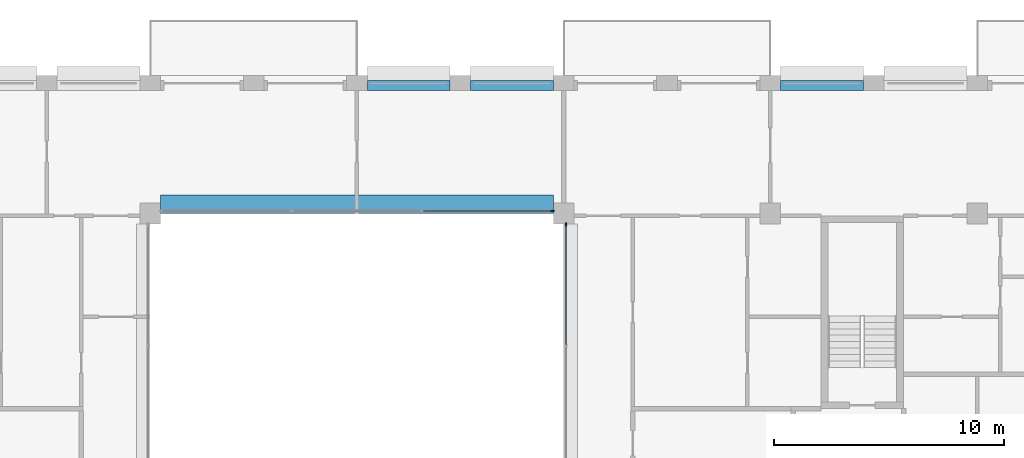
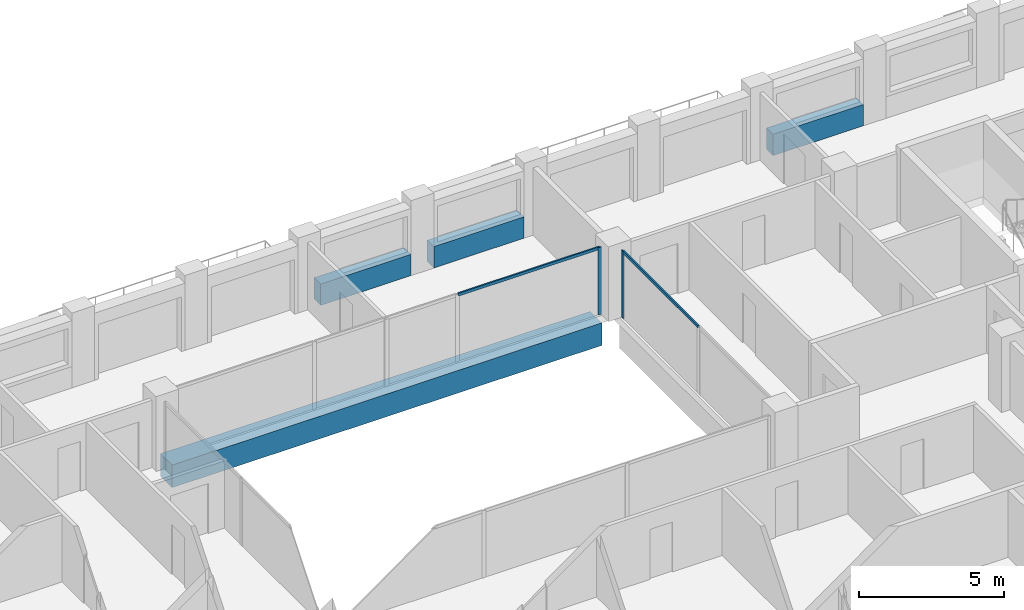
# One storey, part 6 of 15: 4 beams, 4 members, 2 elements without a shape of their own.
"""IFC4 building model written with IfcOpenShell, lengths in metres."""

from ifc_helpers import new_model, si_unit, direction, frame, origin, origin_2d, place, context, subcontext, project, spatial, rectangle, extrude, material, layer, layer_set, material_profile, profile_set, type_object, element, aggregate, save


model = new_model("IFC4")

# Units and contexts
model_context = context("Model", 3, precision=1e-05, world=origin(), true_north=direction((0.0, 1.0)))
body_context = subcontext(model_context, "Body", "Model", "MODEL_VIEW")
ifc_project = project(units=[si_unit("LENGTHUNIT", "METRE"), si_unit("AREAUNIT", "SQUARE_METRE"), si_unit("VOLUMEUNIT", "CUBIC_METRE"), si_unit("PLANEANGLEUNIT", "RADIAN"), si_unit("MASSUNIT", "GRAM", prefix="KILO")], contexts=[model_context])

# Site, building, storey
site_placement = place(None, origin())
site = spatial("IfcSite", under=ifc_project, at=site_placement, CompositionType="ELEMENT")
building_placement = place(site_placement, origin())
building = spatial("IfcBuilding", under=site, at=building_placement, Name="Brigalow Station Residences", CompositionType="ELEMENT")
storey_placement = place(building_placement, frame((0.0, 0.0, 213.75)))
storey = spatial("IfcBuildingStorey", under=building, at=storey_placement, Name="L61", CompositionType="ELEMENT", Elevation=213.75)

# Beam
ifc_material_1 = material(Name="Concrete C65", Category="concrete")
ifc_material_profile_1 = material_profile(ifc_material_1, rectangle(XDim=0.800048828125, YDim=0.949951171875, at=origin_2d()), Name="RC800x950")
ifc_profile_set_1 = profile_set([ifc_material_profile_1], Name="Concrete C65")
beam_type_1 = type_object("IfcBeamType", Name="ATRIUM EDGE GIRDER OVER 13.5 M SPAN 800x950 C65", PredefinedType="BEAM", material=ifc_profile_set_1)
beam_placement = place(storey_placement, frame((27.449951171875, 35.89990234375, -0.794921875), z_axis=(1.0, 0.0, 0.0), x_axis=(0.0, 1.0, 0.0)))
element("IfcBeam", 1, at=beam_placement, inside=storey, type_object=beam_type_1, Name="ATRIUM EDGE GIRDER D L61", PredefinedType="BEAM", context=body_context, shape_type="SweptSolid", body=[
    extrude(rectangle(XDim=0.800048828125, YDim=0.949951171875, at=origin_2d()), origin(), (0.0, 0.0, 1.0), 17.10009765625),
])

# Curtain wall, member
ifc_material_2 = material(Name="Aluminium", Category="aluminium")
ifc_layer = layer(ifc_material_2, 0.14990234375)
ifc_layer_set = layer_set([ifc_layer], Name="ATRIUM FIRE-RATED GLAZING CURTAIN WALL")
curtain_wall_type = type_object("IfcCurtainWallType", Name="ATRIUM FIRE-RATED GLAZING CURTAIN WALL", PredefinedType="NOTDEFINED", material=ifc_layer_set)
curtain_wall_1_placement = place(storey_placement, origin())
curtain_wall_1 = element("IfcCurtainWall", 2, at=curtain_wall_1_placement, inside=storey, type_object=curtain_wall_type, Name="L61/cw/atrium-E", PredefinedType="NOTDEFINED")
ifc_material_3 = material(Name="Aluminium", Category="aluminium")
ifc_material_profile_2 = material_profile(ifc_material_3, rectangle(XDim=0.06005859375, YDim=0.14990234375, at=origin_2d()), Name="ATRIUM FIRE-RATED GLAZING MULLION 60x150")
ifc_profile_set_2 = profile_set([ifc_material_profile_2], Name="Aluminium")
member_type_1 = type_object("IfcMemberType", Name="ATRIUM FIRE-RATED GLAZING MULLION 60x150", PredefinedType="MULLION", material=ifc_profile_set_2)
member_1_placement = place(storey_placement, frame((45.10009765625, 35.02001953125, 0.0), z_axis=(0.0, 0.0, 1.0), x_axis=(-1.0, 0.0, 0.0)))
member_1 = element("IfcMember", 3, at=member_1_placement, type_object=member_type_1, Name="L61/cw/atrium-E/M02", PredefinedType="MULLION", context=body_context, shape_type="SweptSolid", body=[
    extrude(rectangle(XDim=0.06005859375, YDim=0.14990234375, at=origin_2d()), origin(), (0.0, 0.0, 1.0), 2.830078125),
])

curtain_wall_2_placement = place(storey_placement, origin())
curtain_wall_2 = element("IfcCurtainWall", 4, at=curtain_wall_2_placement, inside=storey, type_object=curtain_wall_type, Name="L61/cw/atrium-N", PredefinedType="NOTDEFINED")
member_2_placement = place(storey_placement, frame((44.52001953125, 35.60009765625, 0.0), z_axis=(0.0, 0.0, 1.0), x_axis=(0.0, -1.0, 0.0)))
member_2 = element("IfcMember", 5, at=member_2_placement, type_object=member_type_1, Name="L61/cw/atrium-N/M00", PredefinedType="MULLION", context=body_context, shape_type="SweptSolid", body=[
    extrude(rectangle(XDim=0.06005859375, YDim=0.14990234375, at=origin_2d()), origin(), (0.0, 0.0, 1.0), 2.830078125),
])

# Member
ifc_material_4 = material(Name="Aluminium", Category="aluminium")
ifc_material_profile_3 = material_profile(ifc_material_4, rectangle(XDim=0.06005859375, YDim=0.1201171875, at=origin_2d()), Name="ATRIUM FIRE-RATED GLAZING TRANSOM 60x120")
ifc_profile_set_3 = profile_set([ifc_material_profile_3], Name="Aluminium")
member_type_2 = type_object("IfcMemberType", Name="ATRIUM FIRE-RATED GLAZING TRANSOM 60x120", PredefinedType="USERDEFINED", material=ifc_profile_set_3)
member_3_placement = place(storey_placement, frame((45.10009765625, 29.780029296875, 2.800048828125), z_axis=(0.0, 1.0, 0.0), x_axis=(-1.0, 0.0, 0.0)))
member_3 = element("IfcMember", 6, at=member_3_placement, type_object=member_type_2, Name="L61/cw/atrium-E/T01-00", ObjectType="TRANSOM", PredefinedType="USERDEFINED", context=body_context, shape_type="SweptSolid", body=[
    extrude(rectangle(XDim=0.06005859375, YDim=0.1201171875, at=origin_2d()), origin(), (0.0, 0.0, 1.0), 5.2099609375),
])

aggregate(curtain_wall_1, [member_1, member_3])

member_4_placement = place(storey_placement, frame((44.489990234375, 35.60009765625, 2.800048828125), z_axis=(-1.0, 0.0, 0.0), x_axis=(0.0, -1.0, 0.0)))
member_4 = element("IfcMember", 7, at=member_4_placement, type_object=member_type_2, Name="L61/cw/atrium-N/T00-00", ObjectType="TRANSOM", PredefinedType="USERDEFINED", context=body_context, shape_type="SweptSolid", body=[
    extrude(rectangle(XDim=0.06005859375, YDim=0.1201171875, at=origin_2d()), origin(), (0.0, 0.0, 1.0), 5.610107421875),
])

aggregate(curtain_wall_2, [member_2, member_4])

# Beams
ifc_material_5 = material(Name="Concrete C50", Category="concrete")
ifc_material_profile_4 = material_profile(ifc_material_5, rectangle(XDim=0.449951171875, YDim=0.89990234375, at=origin_2d()), Name="RC450x900")
ifc_profile_set_4 = profile_set([ifc_material_profile_4], Name="Concrete C50")
beam_type_2 = type_object("IfcBeamType", Name="SPANDREL BEAM 450x900 C50", PredefinedType="SPANDREL", material=ifc_profile_set_4)
for number, where, z_axis, x_axis, name in (
    (8, (58.050048828125, 41.074951171875, 0.449951171875), (-1.0, 0.0, 0.0), (0.0, -1.0, 0.0), "L61/spandrel/W-L61-22"),
    (9, (44.550048828125, 41.074951171875, 0.449951171875), (-1.0, 0.0, 0.0), (0.0, -1.0, 0.0), "L61/spandrel/W-L61-25"),
    (10, (40.050048828125, 41.074951171875, 0.449951171875), (-1.0, 0.0, 0.0), (0.0, -1.0, 0.0), "L61/spandrel/W-L61-26"),
):
    element("IfcBeam", number, at=place(storey_placement, frame(where, z_axis=z_axis, x_axis=x_axis)), inside=storey, type_object=beam_type_2, Name=name, PredefinedType="SPANDREL", context=body_context, shape_type="SweptSolid", body=[
        extrude(rectangle(XDim=0.449951171875, YDim=0.89990234375, at=origin_2d()), origin(), (0.0, 0.0, 1.0), 3.60009765625),
    ])

save(model, "model.ifc")
